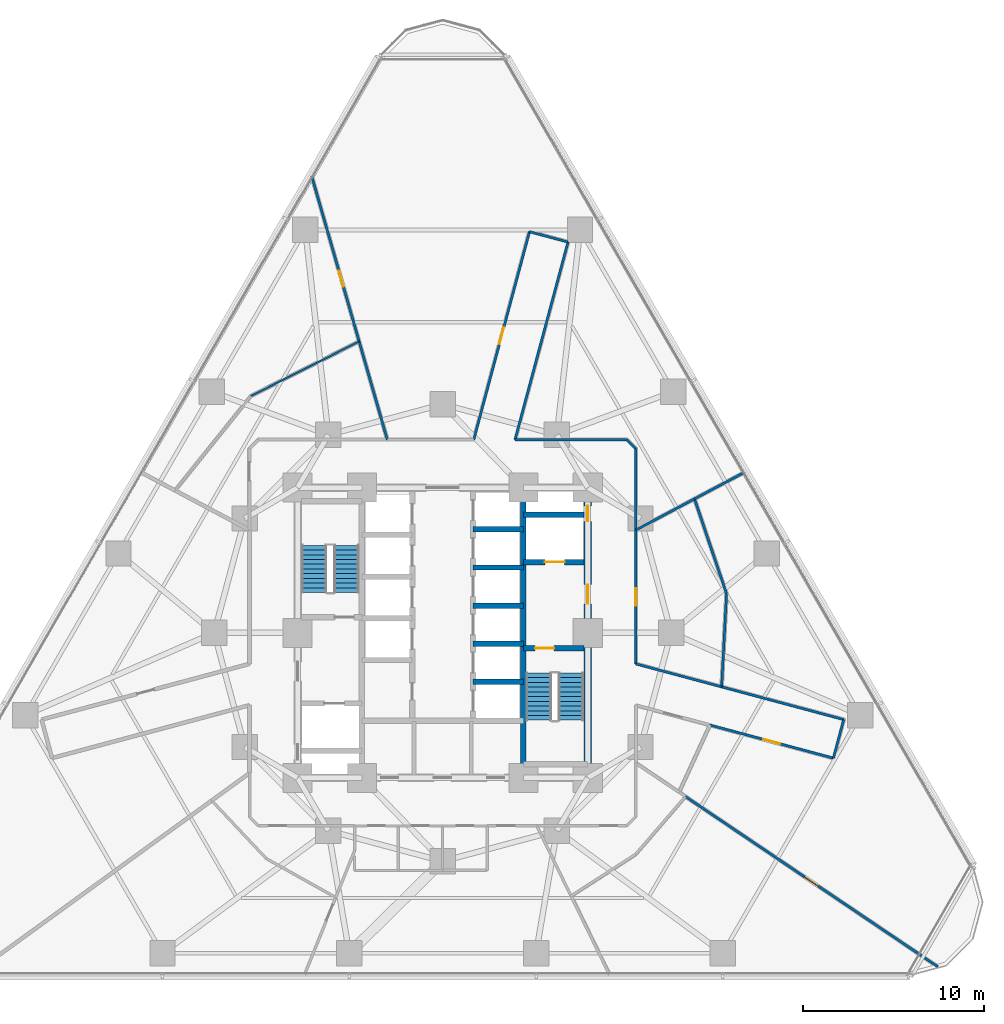
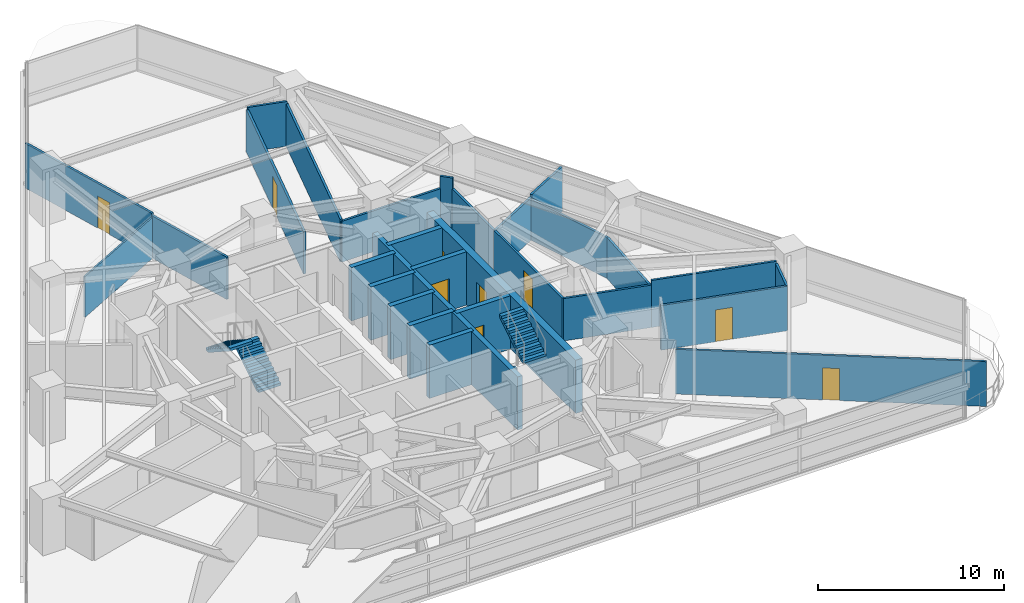
# One storey, part 10 of 16: 29 walls, 9 doors, 4 stair flights, 9 openings, 2 elements without a shape of their own.
"""IFC4 building model written with IfcOpenShell, lengths in metres."""

from ifc_helpers import new_model, si_unit, direction, frame, frame_2d, origin, place, context, subcontext, project, spatial, polyline, rectangle, outline, extrude, material, layer, layer_set, type_object, element, fill, aggregate, save


model = new_model("IFC4")

# Units and contexts
model_context = context("Model", 3, precision=1e-05, world=origin(), true_north=direction((0.0, 1.0)))
body_context = subcontext(model_context, "Body", "Model", "MODEL_VIEW")
ifc_project = project(units=[si_unit("LENGTHUNIT", "METRE"), si_unit("AREAUNIT", "SQUARE_METRE"), si_unit("VOLUMEUNIT", "CUBIC_METRE"), si_unit("PLANEANGLEUNIT", "RADIAN"), si_unit("MASSUNIT", "GRAM", prefix="KILO")], contexts=[model_context])

# Site, building, storey
site_placement = place(None, origin())
site = spatial("IfcSite", under=ifc_project, at=site_placement, CompositionType="ELEMENT")
building_placement = place(site_placement, origin())
building = spatial("IfcBuilding", under=site, at=building_placement, Name="Terralouvre Media Tower", CompositionType="ELEMENT")
storey_placement = place(building_placement, frame((0.0, 0.0, 40.800048828125)))
storey = spatial("IfcBuildingStorey", under=building, at=storey_placement, Name="L09", CompositionType="ELEMENT", Elevation=40.800048828125)

# Wall
ifc_material_1 = material(Name="Concrete C50/60", Category="concrete")
ifc_layer_1 = layer(ifc_material_1, 0.300048828125, Name="Core Internal Shaft Wall CW-300")
ifc_layer_set_1 = layer_set([ifc_layer_1], Name="Concrete C50/60")
wall_type_1 = type_object("IfcWallType", Name="Core Internal Shaft Wall CW-300", PredefinedType="SHEAR", material=ifc_layer_set_1)
wall_1_placement = place(storey_placement, frame((4.449951171875, -7.7900390625, 0.0), z_axis=(0.0, 0.0, 1.0), x_axis=(0.0, 1.0, 0.0)))
element("IfcWall", 1, at=wall_1_placement, inside=storey, type_object=wall_type_1, Name="L09 Core Shaft Wall SPE", PredefinedType="SHEAR", context=body_context, shape_type="SweptSolid", body=[
    extrude(rectangle(XDim=15.580078125, YDim=0.300048828125, at=frame_2d((7.7900390625, 0.0))), origin(), (0.0, 0.0, 1.0), 3.5),
])

# Wall, opening, door
wall_2_placement = place(storey_placement, frame((4.449951171875, -0.85009765625, 0.0), z_axis=(0.0, 0.0, 1.0), x_axis=(1.0, 0.0, 0.0)))
wall_2 = element("IfcWall", 2, at=wall_2_placement, inside=storey, type_object=wall_type_1, Name="L09 Core Shaft Wall ST2D", PredefinedType="SHEAR", context=body_context, shape_type="SweptSolid", body=[
    extrude(rectangle(XDim=3.340087890625, YDim=0.300048828125, at=frame_2d((1.669921875, 0.0))), origin(), (0.0, 0.0, 1.0), 3.5),
])
opening_1_placement = place(wall_2_placement, frame((0.64990234375, 0.0, 0.0)))
opening_1 = element("IfcOpeningElement", 3, at=opening_1_placement, cuts=wall_2, Name="Opening FD-01-105X215", PredefinedType="OPENING", context=body_context, shape_type="SweptSolid", body=[
    extrude(rectangle(XDim=1.050048828125, YDim=2.14990234375, at=frame_2d((0.52490234375, 1.074951171875))), frame((0.0, 0.159912109375, 0.0), z_axis=(0.0, -1.0, 0.0), x_axis=(1.0, 0.0, 0.0)), (0.0, 0.0, 1.0), 0.320068359375),
])
ifc_material_2 = material(Name="Galvanised steel fire-resisting leaf", Category="steel")
door_type_1 = type_object("IfcDoorType", Name="Stair and Firefighting Lobby Fire Door FD-01 (1050x2150)", OperationType="NOTDEFINED", PredefinedType="DOOR", material=ifc_material_2)
door_1_placement = place(opening_1_placement, origin())
door_1 = element("IfcDoor", 4, at=door_1_placement, inside=storey, type_object=door_type_1, Name="L09 ST-02 Exit Stair Door", OperationType="SINGLE_SWING_RIGHT", OverallHeight=2.14990234375, OverallWidth=1.050048828125, PredefinedType="DOOR", context=body_context, shape_type="SweptSolid", body=[
    extrude(rectangle(XDim=1.050048828125, YDim=2.14990234375, at=frame_2d((0.52490234375, 1.074951171875))), frame((0.0, 0.02490234375, 0.0), z_axis=(0.0, -1.0, 0.0), x_axis=(1.0, 0.0, 0.0)), (0.0, 0.0, 1.0), 0.050048828125),
])
fill(opening_1, door_1)

wall_3_placement = place(storey_placement, frame((4.449951171875, 3.89990234375, 0.0), z_axis=(0.0, 0.0, 1.0), x_axis=(1.0, 0.0, 0.0)))
wall_3 = element("IfcWall", 5, at=wall_3_placement, inside=storey, type_object=wall_type_1, Name="L09 Core Shaft Wall FF2S", PredefinedType="SHEAR", context=body_context, shape_type="SweptSolid", body=[
    extrude(rectangle(XDim=3.340087890625, YDim=0.300048828125, at=frame_2d((1.669921875, 0.0))), origin(), (0.0, 0.0, 1.0), 3.5),
])
opening_2_placement = place(wall_3_placement, frame((1.179931640625, 0.0, 0.0)))
opening_2 = element("IfcOpeningElement", 6, at=opening_2_placement, cuts=wall_3, Name="Opening LD-FF", PredefinedType="OPENING", context=body_context, shape_type="SweptSolid", body=[
    extrude(rectangle(XDim=1.10009765625, YDim=2.10009765625, at=frame_2d((0.550048828125, 1.050048828125))), frame((0.0, 0.159912109375, 0.0), z_axis=(0.0, -1.0, 0.0), x_axis=(1.0, 0.0, 0.0)), (0.0, 0.0, 1.0), 0.320068359375),
])
ifc_material_3 = material(Name="Stainless steel 316 handrail and balustrade", Category="steel")
door_type_2 = type_object("IfcDoorType", Name="Firefighting Lift Sliding Landing Door LD-FF", OperationType="SLIDING_TO_LEFT", PredefinedType="DOOR", material=ifc_material_3)
door_2_placement = place(opening_2_placement, origin())
door_2 = element("IfcDoor", 7, at=door_2_placement, inside=storey, type_object=door_type_2, Name="L09 Firefighting Lift FFL-02 Landing Door", OperationType="SLIDING_TO_LEFT", OverallHeight=2.10009765625, OverallWidth=1.10009765625, PredefinedType="DOOR", context=body_context, shape_type="SweptSolid", body=[
    extrude(rectangle(XDim=1.10009765625, YDim=2.10009765625, at=frame_2d((0.550048828125, 1.050048828125))), frame((0.0, 0.02490234375, 0.0), z_axis=(0.0, -1.0, 0.0), x_axis=(1.0, 0.0, 0.0)), (0.0, 0.0, 1.0), 0.050048828125),
])
fill(opening_2, door_2)

# Walls
wall_4_placement = place(storey_placement, frame((4.449951171875, 6.5, 0.0), z_axis=(0.0, 0.0, 1.0), x_axis=(1.0, 0.0, 0.0)))
element("IfcWall", 8, at=wall_4_placement, inside=storey, type_object=wall_type_1, Name="L09 Core Shaft Wall FF2N", PredefinedType="SHEAR", context=body_context, shape_type="SweptSolid", body=[
    extrude(rectangle(XDim=3.340087890625, YDim=0.300048828125, at=frame_2d((1.669921875, 0.0))), origin(), (0.0, 0.0, 1.0), 3.5),
])
for number, where, z_axis, x_axis, name in (
    (9, (1.679931640625, 1.5, 0.0), (0.0, 0.0, 1.0), (1.0, 0.0, 0.0), "L09 Core Shaft Wall PLMD0"),
    (10, (1.679931640625, 3.60009765625, 0.0), (0.0, 0.0, 1.0), (1.0, 0.0, 0.0), "L09 Core Shaft Wall PLMD1"),
    (11, (1.679931640625, 5.699951171875, 0.0), (0.0, 0.0, 1.0), (1.0, 0.0, 0.0), "L09 Core Shaft Wall PLMD2"),
    (12, (1.679931640625, -2.699951171875, 0.0), (0.0, 0.0, 1.0), (1.0, 0.0, 0.0), "L09 Core Shaft Wall PLHD1"),
    (13, (1.679931640625, -0.60009765625, 0.0), (0.0, 0.0, 1.0), (1.0, 0.0, 0.0), "L09 Core Shaft Wall PLHD2"),
):
    element("IfcWall", number, at=place(storey_placement, frame(where, z_axis=z_axis, x_axis=x_axis)), inside=storey, type_object=wall_type_1, Name=name, PredefinedType="SHEAR", context=body_context, shape_type="SweptSolid", body=[
        extrude(rectangle(XDim=2.77001953125, YDim=0.300048828125, at=frame_2d((1.385009765625, 0.0))), origin(), (0.0, 0.0, 1.0), 3.5),
    ])

# Wall, openings, doors
ifc_material_4 = material(Name="Concrete C60/75", Category="concrete")
ifc_layer_2 = layer(ifc_material_4, 0.419921875, Name="Core Reinforced Concrete Shear Wall CW-420")
ifc_layer_set_2 = layer_set([ifc_layer_2], Name="Concrete C60/75")
wall_type_2 = type_object("IfcWallType", Name="Core Reinforced Concrete Shear Wall CW-420", PredefinedType="SHEAR", material=ifc_layer_set_2)
wall_5_placement = place(storey_placement, frame((8.0, -8.0, 0.0), z_axis=(0.0, 0.0, 1.0), x_axis=(0.0, 1.0, 0.0)))
wall_5 = element("IfcWall", 14, at=wall_5_placement, inside=storey, type_object=wall_type_2, Name="L09 E Core Shear Wall", PredefinedType="SHEAR", context=body_context, shape_type="SweptSolid", body=[
    extrude(rectangle(XDim=16.0, YDim=0.419921875, at=frame_2d((8.0, 0.0))), origin(), (0.0, 0.0, 1.0), 3.5),
])
opening_3_placement = place(wall_5_placement, frame((9.60009765625, 0.0, 0.0)))
opening_3 = element("IfcOpeningElement", 15, at=opening_3_placement, cuts=wall_5, Name="Opening FD-01-105X215", PredefinedType="OPENING", context=body_context, shape_type="SweptSolid", body=[
    extrude(rectangle(XDim=1.050048828125, YDim=2.14990234375, at=frame_2d((0.52490234375, 1.074951171875))), frame((0.0, 0.219970703125, 0.0), z_axis=(0.0, -1.0, 0.0), x_axis=(1.0, 0.0, 0.0)), (0.0, 0.0, 1.0), 0.43994140625),
])
opening_4_placement = place(wall_5_placement, frame((14.148193359375, 0.0, 0.0)))
opening_4 = element("IfcOpeningElement", 16, at=opening_4_placement, cuts=wall_5, Name="Opening TD-R1", PredefinedType="OPENING", context=body_context, shape_type="SweptSolid", body=[
    extrude(rectangle(XDim=0.85009765625, YDim=2.02001953125, at=frame_2d((0.425048828125, 1.010009765625))), frame((0.0, 0.219970703125, 0.0), z_axis=(0.0, -1.0, 0.0), x_axis=(1.0, 0.0, 0.0)), (0.0, 0.0, 1.0), 0.43994140625),
])
ifc_material_5 = material(Name="Galvanised steel fire-resisting leaf", Category="steel")
door_type_3 = type_object("IfcDoorType", Name="Riser Inspection Access Trapdoor TD-R1", OperationType="NOTDEFINED", PredefinedType="TRAPDOOR", material=ifc_material_5)
door_3_placement = place(opening_4_placement, origin())
door_3 = element("IfcDoor", 17, at=door_3_placement, inside=storey, type_object=door_type_3, Name="L09 East Comms Riser Access Trapdoor", OperationType="SINGLE_SWING_RIGHT", OverallHeight=2.02001953125, OverallWidth=0.85009765625, PredefinedType="TRAPDOOR", context=body_context, shape_type="SweptSolid", body=[
    extrude(rectangle(XDim=0.85009765625, YDim=2.02001953125, at=frame_2d((0.425048828125, 1.010009765625))), frame((0.0, 0.02490234375, 0.0), z_axis=(0.0, -1.0, 0.0), x_axis=(1.0, 0.0, 0.0)), (0.0, 0.0, 1.0), 0.050048828125),
])
fill(opening_4, door_3)
door_4_placement = place(opening_3_placement, origin())
door_4 = element("IfcDoor", 18, at=door_4_placement, inside=storey, type_object=door_type_1, Name="L09 East Firefighting Lobby Entry Door", OperationType="SINGLE_SWING_LEFT", OverallHeight=2.14990234375, OverallWidth=1.050048828125, PredefinedType="DOOR", context=body_context, shape_type="SweptSolid", body=[
    extrude(rectangle(XDim=1.050048828125, YDim=2.14990234375, at=frame_2d((0.52490234375, 1.074951171875))), frame((0.0, 0.02490234375, 0.0), z_axis=(0.0, -1.0, 0.0), x_axis=(1.0, 0.0, 0.0)), (0.0, 0.0, 1.0), 0.050048828125),
])
fill(opening_3, door_4)

# Walls
ifc_material_6 = material(Name="Low-iron laminated double glazing with solar-control coating", Category="glass")
ifc_layer_3 = layer(ifc_material_6, 0.10009765625, Name="Demountable Glazed Office Partition PT-GL100")
ifc_layer_set_3 = layer_set([ifc_layer_3], Name="Low-iron laminated double glazing with solar-control coating")
wall_type_3 = type_object("IfcWallType", Name="Demountable Glazed Office Partition PT-GL100", PredefinedType="MOVABLE", material=ifc_layer_set_3)
wall_6_placement = place(storey_placement, frame((-10.572998046875, 13.055908203125, 0.0), z_axis=(0.0, 0.0, 1.0), x_axis=(0.893012396789, 0.450032064615, 0.0)))
element("IfcWall", 19, at=wall_6_placement, inside=storey, type_object=wall_type_3, Name="L09 Interior Partition 064", PredefinedType="MOVABLE", context=body_context, shape_type="SweptSolid", body=[
    extrude(rectangle(XDim=6.681884765625, YDim=0.10009765625, at=frame_2d((3.3408203125, 0.0))), origin(), (0.0, 0.0, 1.0), 2.68505859375),
])
ifc_material_7 = material(Name="Fire-rated gypsum board drywall partition")
ifc_layer_4 = layer(ifc_material_7, 0.135009765625, Name="Newsroom Acoustic Partition PT-135")
ifc_layer_set_4 = layer_set([ifc_layer_4], Name="Fire-rated gypsum board drywall partition")
wall_type_4 = type_object("IfcWallType", Name="Newsroom Acoustic Partition PT-135", PredefinedType="PARTITIONING", material=ifc_layer_set_4)
wall_7_placement = place(storey_placement, frame((10.64990234375, 5.6630859375, 0.0), z_axis=(0.0, 0.0, 1.0), x_axis=(0.0, 1.0, 0.0)))
element("IfcWall", 20, at=wall_7_placement, inside=storey, type_object=wall_type_4, Name="L09 Interior Partition 001", PredefinedType="PARTITIONING", context=body_context, shape_type="SweptSolid", body=[
    extrude(rectangle(XDim=4.48681640625, YDim=0.135009765625, at=frame_2d((2.243408203125, 0.0))), origin(), (0.0, 0.0, 1.0), 2.784912109375),
])
wall_8_placement = place(storey_placement, frame((10.64990234375, 10.14990234375, 0.0), z_axis=(0.0, 0.0, 1.0), x_axis=(-0.707106781187, 0.707106781187, 0.0)))
element("IfcWall", 21, at=wall_8_placement, inside=storey, type_object=wall_type_4, Name="L09 Interior Partition 002", PredefinedType="PARTITIONING", context=body_context, shape_type="SweptSolid", body=[
    extrude(rectangle(XDim=0.70703125, YDim=0.135009765625, at=frame_2d((0.353515625, 0.0))), origin(), (0.0, 0.0, 1.0), 3.5),
])
wall_9_placement = place(storey_placement, frame((10.14990234375, 10.64990234375, 0.0), z_axis=(0.0, 0.0, 1.0), x_axis=(-1.0, 0.0, 0.0)))
element("IfcWall", 22, at=wall_9_placement, inside=storey, type_object=wall_type_4, Name="L09 Interior Partition 003", PredefinedType="PARTITIONING", context=body_context, shape_type="SweptSolid", body=[
    extrude(rectangle(XDim=6.157958984375, YDim=0.135009765625, at=frame_2d((3.0791015625, 0.0))), origin(), (0.0, 0.0, 1.0), 2.68505859375),
])
wall_10_placement = place(storey_placement, frame((3.991943359375, 10.64990234375, 0.0), z_axis=(0.0, 0.0, 1.0), x_axis=(0.258889712088, 0.965906888357, 0.0)))
element("IfcWall", 23, at=wall_10_placement, inside=storey, type_object=wall_type_4, Name="L09 Interior Partition 004", PredefinedType="PARTITIONING", context=body_context, shape_type="SweptSolid", body=[
    extrude(rectangle(XDim=11.279541015625, YDim=0.135009765625, at=frame_2d((5.6396484375, 0.0))), origin(), (0.0, 0.0, 1.0), 2.784912109375),
])
wall_11_placement = place(storey_placement, frame((6.912109375, 21.544921875, 0.0), z_axis=(0.0, 0.0, 1.0), x_axis=(-0.965848933329, 0.259105843213, 0.0)))
element("IfcWall", 24, at=wall_11_placement, inside=storey, type_object=wall_type_4, Name="L09 Interior Partition 005", PredefinedType="PARTITIONING", context=body_context, shape_type="SweptSolid", body=[
    extrude(rectangle(XDim=2.2001953125, YDim=0.135009765625, at=frame_2d((1.10009765625, 0.0))), origin(), (0.0, 0.0, 1.0), 2.93505859375),
])

# Wall, opening, door
wall_12_placement = place(storey_placement, frame((4.787109375, 22.114990234375, 0.0), z_axis=(0.0, 0.0, 1.0), x_axis=(-0.258815935688, -0.965926659449, 0.0)))
wall_12 = element("IfcWall", 25, at=wall_12_placement, inside=storey, type_object=wall_type_4, Name="L09 Interior Partition 006", PredefinedType="PARTITIONING", context=body_context, shape_type="SweptSolid", body=[
    extrude(rectangle(XDim=11.86962890625, YDim=0.135009765625, at=frame_2d((5.934814453125, 0.0))), origin(), (0.0, 0.0, 1.0), 2.784912109375),
])
opening_5_placement = place(wall_12_placement, frame((5.459716796875, 0.0, 0.0)))
opening_5 = element("IfcOpeningElement", 26, at=opening_5_placement, cuts=wall_12, Name="Opening ID-02-95X210", PredefinedType="OPENING", context=body_context, shape_type="SweptSolid", body=[
    extrude(rectangle(XDim=0.949951171875, YDim=2.10009765625, at=frame_2d((0.47509765625, 1.050048828125))), frame((0.0, 0.077392578125, 0.0), z_axis=(0.0, -1.0, 0.0), x_axis=(1.0, 0.0, 0.0)), (0.0, 0.0, 1.0), 0.155029296875),
])
ifc_material_8 = material(Name="Engineered hardwood acoustic timber leaf", Category="wood")
door_type_4 = type_object("IfcDoorType", Name="Office and Meeting Room Door ID-02 (950x2100)", OperationType="NOTDEFINED", PredefinedType="DOOR", material=ifc_material_8)
door_5_placement = place(opening_5_placement, origin())
door_5 = element("IfcDoor", 27, at=door_5_placement, inside=storey, type_object=door_type_4, Name="L09 Broadcast Floor Crew Room 1 Door", OperationType="SINGLE_SWING_RIGHT", OverallHeight=2.10009765625, OverallWidth=0.949951171875, PredefinedType="DOOR", context=body_context, shape_type="SweptSolid", body=[
    extrude(rectangle(XDim=0.949951171875, YDim=2.10009765625, at=frame_2d((0.47509765625, 1.050048828125))), frame((0.0, 0.02490234375, 0.0), z_axis=(0.0, -1.0, 0.0), x_axis=(1.0, 0.0, 0.0)), (0.0, 0.0, 1.0), 0.050048828125),
])
fill(opening_5, door_5)

wall_13_placement = place(storey_placement, frame((14.739990234375, -5.087890625, 0.0), z_axis=(0.0, 0.0, 1.0), x_axis=(0.965895912523, -0.258930659002, 0.0)))
wall_13 = element("IfcWall", 28, at=wall_13_placement, inside=storey, type_object=wall_type_4, Name="L09 Interior Partition 015", PredefinedType="PARTITIONING", context=body_context, shape_type="SweptSolid", body=[
    extrude(rectangle(XDim=7.045166015625, YDim=0.135009765625, at=frame_2d((3.5224609375, 0.0))), origin(), (0.0, 0.0, 1.0), 2.93505859375),
])
opening_6_placement = place(wall_13_placement, frame((3.047607421875, 0.0, 0.0)))
opening_6 = element("IfcOpeningElement", 29, at=opening_6_placement, cuts=wall_13, Name="Opening ID-02-95X210", PredefinedType="OPENING", context=body_context, shape_type="SweptSolid", body=[
    extrude(rectangle(XDim=0.949951171875, YDim=2.10009765625, at=frame_2d((0.47509765625, 1.050048828125))), frame((0.0, 0.077392578125, 0.0), z_axis=(0.0, -1.0, 0.0), x_axis=(1.0, 0.0, 0.0)), (0.0, 0.0, 1.0), 0.155029296875),
])
door_6_placement = place(opening_6_placement, origin())
door_6 = element("IfcDoor", 30, at=door_6_placement, inside=storey, type_object=door_type_4, Name="L09 Creative Set Workshop 4 Door", OperationType="SINGLE_SWING_LEFT", OverallHeight=2.10009765625, OverallWidth=0.949951171875, PredefinedType="DOOR", context=body_context, shape_type="SweptSolid", body=[
    extrude(rectangle(XDim=0.949951171875, YDim=2.10009765625, at=frame_2d((0.47509765625, 1.050048828125))), frame((0.0, 0.02490234375, 0.0), z_axis=(0.0, -1.0, 0.0), x_axis=(1.0, 0.0, 0.0)), (0.0, 0.0, 1.0), 0.050048828125),
])
fill(opening_6, door_6)

# Walls
wall_14_placement = place(storey_placement, frame((21.544921875, -6.912109375, 0.0), z_axis=(0.0, 0.0, 1.0), x_axis=(0.259105843213, 0.965848933329, 0.0)))
element("IfcWall", 31, at=wall_14_placement, inside=storey, type_object=wall_type_4, Name="L09 Interior Partition 016", PredefinedType="PARTITIONING", context=body_context, shape_type="SweptSolid", body=[
    extrude(rectangle(XDim=2.2001953125, YDim=0.135009765625, at=frame_2d((1.10009765625, 0.0))), origin(), (0.0, 0.0, 1.0), 2.93505859375),
])
wall_15_placement = place(storey_placement, frame((22.114990234375, -4.787109375, 0.0), z_axis=(0.0, 0.0, 1.0), x_axis=(-0.965912084765, 0.258870323726, 0.0)))
element("IfcWall", 32, at=wall_15_placement, inside=storey, type_object=wall_type_4, Name="L09 Interior Partition 017", PredefinedType="PARTITIONING", context=body_context, shape_type="SweptSolid", body=[
    extrude(rectangle(XDim=6.969482421875, YDim=0.135009765625, at=frame_2d((3.48486328125, 0.0))), origin(), (0.0, 0.0, 1.0), 3.0849609375),
])
wall_16_placement = place(storey_placement, frame((15.383056640625, -2.98291015625, 0.0), z_axis=(0.0, 0.0, 1.0), x_axis=(-0.965947384406, 0.258738575706, 0.0)))
element("IfcWall", 33, at=wall_16_placement, inside=storey, type_object=wall_type_4, Name="L09 Interior Partition 018", PredefinedType="PARTITIONING", context=body_context, shape_type="SweptSolid", body=[
    extrude(rectangle(XDim=4.89990234375, YDim=0.135009765625, at=frame_2d((2.449951171875, 0.0))), origin(), (0.0, 0.0, 1.0), 2.784912109375),
])

# Wall, opening, door
wall_17_placement = place(storey_placement, frame((10.64990234375, -1.715087890625, 0.0), z_axis=(0.0, 0.0, 1.0), x_axis=(0.0, 1.0, 0.0)))
wall_17 = element("IfcWall", 34, at=wall_17_placement, inside=storey, type_object=wall_type_4, Name="L09 Interior Partition 019", PredefinedType="PARTITIONING", context=body_context, shape_type="SweptSolid", body=[
    extrude(rectangle(XDim=7.378173828125, YDim=0.135009765625, at=frame_2d((3.68896484375, 0.0))), origin(), (0.0, 0.0, 1.0), 2.784912109375),
])
opening_7_placement = place(wall_17_placement, frame((3.214111328125, 0.0, 0.0)))
opening_7 = element("IfcOpeningElement", 35, at=opening_7_placement, cuts=wall_17, Name="Opening ID-02-95X210", PredefinedType="OPENING", context=body_context, shape_type="SweptSolid", body=[
    extrude(rectangle(XDim=0.949951171875, YDim=2.10009765625, at=frame_2d((0.47509765625, 1.050048828125))), frame((0.0, 0.077392578125, 0.0), z_axis=(0.0, -1.0, 0.0), x_axis=(1.0, 0.0, 0.0)), (0.0, 0.0, 1.0), 0.155029296875),
])
door_7_placement = place(opening_7_placement, origin())
door_7 = element("IfcDoor", 36, at=door_7_placement, inside=storey, type_object=door_type_4, Name="L09 Editorial Collaborative Open Office 5 Door", OperationType="SINGLE_SWING_RIGHT", OverallHeight=2.10009765625, OverallWidth=0.949951171875, PredefinedType="DOOR", context=body_context, shape_type="SweptSolid", body=[
    extrude(rectangle(XDim=0.949951171875, YDim=2.10009765625, at=frame_2d((0.47509765625, 1.050048828125))), frame((0.0, 0.02490234375, 0.0), z_axis=(0.0, -1.0, 0.0), x_axis=(1.0, 0.0, 0.0)), (0.0, 0.0, 1.0), 0.050048828125),
])
fill(opening_7, door_7)

# Walls
wall_18_placement = place(storey_placement, frame((13.885986328125, 7.383056640625, 0.0), z_axis=(0.0, 0.0, 1.0), x_axis=(0.88293033741, 0.469504014126, 0.0)))
element("IfcWall", 37, at=wall_18_placement, inside=storey, type_object=wall_type_4, Name="L09 Interior Partition 033", PredefinedType="PARTITIONING", context=body_context, shape_type="SweptSolid", body=[
    extrude(rectangle(XDim=3.12158203125, YDim=0.135009765625, at=frame_2d((1.560791015625, 0.0))), origin(), (0.0, 0.0, 1.0), 2.93505859375),
])
wall_19_placement = place(storey_placement, frame((10.64990234375, 5.6630859375, 0.0), z_axis=(0.0, 0.0, 1.0), x_axis=(0.88302513666, 0.469325695041, 0.0)))
element("IfcWall", 38, at=wall_19_placement, inside=storey, type_object=wall_type_4, Name="L09 Interior Partition 034", PredefinedType="PARTITIONING", context=body_context, shape_type="SweptSolid", body=[
    extrude(rectangle(XDim=3.664794921875, YDim=0.135009765625, at=frame_2d((1.83251953125, 0.0))), origin(), (0.0, 0.0, 1.0), 2.784912109375),
])

# Wall, opening, door
wall_20_placement = place(storey_placement, frame((-7.21826171875, 25.171142578125, 0.0), z_axis=(0.0, 0.0, 1.0), x_axis=(0.275694254482, -0.961245378686, 0.0)))
wall_20 = element("IfcWall", 39, at=wall_20_placement, inside=storey, type_object=wall_type_4, Name="L09 Interior Partition 035", PredefinedType="PARTITIONING", context=body_context, shape_type="SweptSolid", body=[
    extrude(rectangle(XDim=9.475341796875, YDim=0.135009765625, at=frame_2d((4.73779296875, 0.0))), origin(), (0.0, 0.0, 1.0), 2.93505859375),
])
opening_8_placement = place(wall_20_placement, frame((5.414794921875, 0.0, 0.0)))
opening_8 = element("IfcOpeningElement", 40, at=opening_8_placement, cuts=wall_20, Name="Opening ID-03-92X210", PredefinedType="OPENING", context=body_context, shape_type="SweptSolid", body=[
    extrude(rectangle(XDim=0.919921875, YDim=2.10009765625, at=frame_2d((0.4599609375, 1.050048828125))), frame((0.0, 0.077392578125, 0.0), z_axis=(0.0, -1.0, 0.0), x_axis=(1.0, 0.0, 0.0)), (0.0, 0.0, 1.0), 0.155029296875),
])
ifc_material_9 = material(Name="Engineered hardwood acoustic timber leaf", Category="wood")
door_type_5 = type_object("IfcDoorType", Name="Accessible Restroom and Suite Door ID-03 (920x2100)", OperationType="NOTDEFINED", PredefinedType="DOOR", material=ifc_material_9)
door_8_placement = place(opening_8_placement, origin())
door_8 = element("IfcDoor", 41, at=door_8_placement, inside=storey, type_object=door_type_5, Name="L09 Script Readout Seminar Room 11 Door", OperationType="SINGLE_SWING_RIGHT", OverallHeight=2.10009765625, OverallWidth=0.919921875, PredefinedType="DOOR", context=body_context, shape_type="SweptSolid", body=[
    extrude(rectangle(XDim=0.919921875, YDim=2.10009765625, at=frame_2d((0.4599609375, 1.050048828125))), frame((0.0, 0.02490234375, 0.0), z_axis=(0.0, -1.0, 0.0), x_axis=(1.0, 0.0, 0.0)), (0.0, 0.0, 1.0), 0.050048828125),
])
fill(opening_8, door_8)

# Walls
wall_21_placement = place(storey_placement, frame((-4.60595703125, 16.06298828125, 0.0), z_axis=(0.0, 0.0, 1.0), x_axis=(0.275608564, -0.961269951392, 0.0)))
element("IfcWall", 42, at=wall_21_placement, inside=storey, type_object=wall_type_4, Name="L09 Interior Partition 036", PredefinedType="PARTITIONING", context=body_context, shape_type="SweptSolid", body=[
    extrude(rectangle(XDim=5.631103515625, YDim=0.135009765625, at=frame_2d((2.8154296875, 0.0))), origin(), (0.0, 0.0, 1.0), 2.784912109375),
])
wall_22_placement = place(storey_placement, frame((13.885986328125, 7.383056640625, 0.0), z_axis=(0.0, 0.0, 1.0), x_axis=(0.320099223205, -0.947384023141, 0.0)))
element("IfcWall", 43, at=wall_22_placement, inside=storey, type_object=wall_type_4, Name="L09 Interior Partition 043", PredefinedType="PARTITIONING", context=body_context, shape_type="SweptSolid", body=[
    extrude(rectangle(XDim=5.5205078125, YDim=0.135009765625, at=frame_2d((2.76025390625, 0.0))), origin(), (0.0, 0.0, 1.0), 2.68505859375),
])
wall_23_placement = place(storey_placement, frame((15.653076171875, 2.153076171875, 0.0), z_axis=(0.0, 0.0, 1.0), x_axis=(-0.05250152841, -0.998620843721, 0.0)))
element("IfcWall", 44, at=wall_23_placement, inside=storey, type_object=wall_type_4, Name="L09 Interior Partition 044", PredefinedType="PARTITIONING", context=body_context, shape_type="SweptSolid", body=[
    extrude(rectangle(XDim=5.14306640625, YDim=0.135009765625, at=frame_2d((2.571533203125, 0.0))), origin(), (0.0, 0.0, 1.0), 2.68505859375),
])

# Wall, opening, door
wall_24_placement = place(storey_placement, frame((13.384033203125, -9.028076171875, 0.0), z_axis=(0.0, 0.0, 1.0), x_axis=(0.829042972493, -0.55918489765, 0.0)))
wall_24 = element("IfcWall", 45, at=wall_24_placement, inside=storey, type_object=wall_type_4, Name="L09 Interior Partition 046", PredefinedType="PARTITIONING", context=body_context, shape_type="SweptSolid", body=[
    extrude(rectangle(XDim=16.791259765625, YDim=0.135009765625, at=frame_2d((8.3955078125, 0.0))), origin(), (0.0, 0.0, 1.0), 2.93505859375),
])
opening_9_placement = place(wall_24_placement, frame((7.935546875, 0.0, 0.0)))
opening_9 = element("IfcOpeningElement", 46, at=opening_9_placement, cuts=wall_24, Name="Opening ID-03-92X210", PredefinedType="OPENING", context=body_context, shape_type="SweptSolid", body=[
    extrude(rectangle(XDim=0.919921875, YDim=2.10009765625, at=frame_2d((0.4599609375, 1.050048828125))), frame((0.0, 0.077392578125, 0.0), z_axis=(0.0, -1.0, 0.0), x_axis=(1.0, 0.0, 0.0)), (0.0, 0.0, 1.0), 0.155029296875),
])
door_9_placement = place(opening_9_placement, origin())
door_9 = element("IfcDoor", 47, at=door_9_placement, inside=storey, type_object=door_type_5, Name="L09 Production Catering Galley 10 Door", OperationType="SINGLE_SWING_LEFT", OverallHeight=2.10009765625, OverallWidth=0.919921875, PredefinedType="DOOR", context=body_context, shape_type="SweptSolid", body=[
    extrude(rectangle(XDim=0.919921875, YDim=2.10009765625, at=frame_2d((0.4599609375, 1.050048828125))), frame((0.0, 0.02490234375, 0.0), z_axis=(0.0, -1.0, 0.0), x_axis=(1.0, 0.0, 0.0)), (0.0, 0.0, 1.0), 0.050048828125),
])
fill(opening_9, door_9)

# Stair, stair flights
ifc_material_10 = material(Name="Concrete C45/55", Category="concrete")
stair_type_1 = type_object("IfcStairType", Name="Dogleg Stair Assembly ST-01", PredefinedType="HALF_TURN_STAIR", material=ifc_material_10)
stair_1_placement = place(storey_placement, origin())
stair_1 = element("IfcStair", 48, at=stair_1_placement, inside=storey, type_object=stair_type_1, Name="L09 Core Pressurised Exit Stair ST-01", PredefinedType="HALF_TURN_STAIR")
ifc_material_11 = material(Name="Concrete C45/55", Category="concrete")
stair_flight_type = type_object("IfcStairFlightType", Name="Reinforced Concrete Stair Flight SF-RC1", PredefinedType="STRAIGHT", material=ifc_material_11)
stair_flight_1_placement = place(storey_placement, frame((-5.300048828125, 2.219970703125, 0.0), z_axis=(0.0, 0.0, 1.0), x_axis=(0.0, 1.0, 0.0)))
stair_flight_1 = element("IfcStairFlight", 49, at=stair_flight_1_placement, type_object=stair_flight_type, Name="ST-01 flight 1", NumberOfRisers=11, NumberOfTreads=10, PredefinedType="STRAIGHT", RiserHeight=0.168181818, TreadLength=0.26, context=body_context, shape_type="SweptSolid", body=[
    extrude(outline(polyline([(0.0, 0.0), (0.0, 0.168212890625), (0.260009765625, 0.168212890625), (0.260009765625, 0.33642578125), (0.52001953125, 0.33642578125), (0.52001953125, 0.504638671875), (0.780029296875, 0.504638671875), (0.780029296875, 0.672607421875), (1.0400390625, 0.672607421875), (1.0400390625, 0.8408203125), (1.300048828125, 0.8408203125), (1.300048828125, 1.009033203125), (1.56005859375, 1.009033203125), (1.56005859375, 1.17724609375), (1.820068359375, 1.17724609375), (1.820068359375, 1.345458984375), (2.080078125, 1.345458984375), (2.080078125, 1.513671875), (2.340087890625, 1.513671875), (2.340087890625, 1.681884765625), (2.60009765625, 1.681884765625), (2.60009765625, 1.85009765625), (2.60009765625, 1.503173828125), (0.27587890625, 0.0), (0.0, 0.0)])), frame((0.0, 0.699951171875, 0.0), z_axis=(0.0, -1.0, 0.0), x_axis=(1.0, 0.0, 0.0)), (0.0, 0.0, 1.0), 1.39990234375),
])
stair_flight_2_placement = place(storey_placement, frame((-7.080078125, 4.820068359375, 1.849853515625), z_axis=(0.0, 0.0, 1.0), x_axis=(0.0, -1.0, 0.0)))
stair_flight_2 = element("IfcStairFlight", 50, at=stair_flight_2_placement, type_object=stair_flight_type, Name="ST-01 flight 2", NumberOfRisers=11, NumberOfTreads=10, PredefinedType="STRAIGHT", RiserHeight=0.168181818, TreadLength=0.26, context=body_context, shape_type="SweptSolid", body=[
    extrude(outline(polyline([(0.0, 0.0), (0.0, 0.168212890625), (0.260009765625, 0.168212890625), (0.260009765625, 0.33642578125), (0.52001953125, 0.33642578125), (0.52001953125, 0.504638671875), (0.780029296875, 0.504638671875), (0.780029296875, 0.672607421875), (1.0400390625, 0.672607421875), (1.0400390625, 0.8408203125), (1.300048828125, 0.8408203125), (1.300048828125, 1.009033203125), (1.56005859375, 1.009033203125), (1.56005859375, 1.17724609375), (1.820068359375, 1.17724609375), (1.820068359375, 1.345458984375), (2.080078125, 1.345458984375), (2.080078125, 1.513671875), (2.340087890625, 1.513671875), (2.340087890625, 1.681884765625), (2.60009765625, 1.681884765625), (2.60009765625, 1.85009765625), (2.60009765625, 1.503173828125), (0.27587890625, 0.0), (0.0, 0.0)])), frame((0.0, 0.699951171875, 0.0), z_axis=(0.0, -1.0, 0.0), x_axis=(1.0, 0.0, 0.0)), (0.0, 0.0, 1.0), 1.39990234375),
])
aggregate(stair_1, [stair_flight_1, stair_flight_2])

ifc_material_12 = material(Name="Concrete C45/55", Category="concrete")
stair_type_2 = type_object("IfcStairType", Name="Dogleg Stair Assembly ST-02", PredefinedType="HALF_TURN_STAIR", material=ifc_material_12)
stair_2_placement = place(storey_placement, origin())
stair_2 = element("IfcStair", 51, at=stair_2_placement, inside=storey, type_object=stair_type_2, Name="L09 Core Pressurised Exit Stair ST-02", PredefinedType="HALF_TURN_STAIR")
stair_flight_3_placement = place(storey_placement, frame((5.300048828125, -2.219970703125, 0.0), z_axis=(0.0, 0.0, 1.0), x_axis=(0.0, -1.0, 0.0)))
stair_flight_3 = element("IfcStairFlight", 52, at=stair_flight_3_placement, type_object=stair_flight_type, Name="ST-02 flight 1", NumberOfRisers=11, NumberOfTreads=10, PredefinedType="STRAIGHT", RiserHeight=0.168181818, TreadLength=0.26, context=body_context, shape_type="SweptSolid", body=[
    extrude(outline(polyline([(0.0, 0.0), (0.0, 0.168212890625), (0.260009765625, 0.168212890625), (0.260009765625, 0.33642578125), (0.52001953125, 0.33642578125), (0.52001953125, 0.504638671875), (0.780029296875, 0.504638671875), (0.780029296875, 0.672607421875), (1.0400390625, 0.672607421875), (1.0400390625, 0.8408203125), (1.300048828125, 0.8408203125), (1.300048828125, 1.009033203125), (1.56005859375, 1.009033203125), (1.56005859375, 1.17724609375), (1.820068359375, 1.17724609375), (1.820068359375, 1.345458984375), (2.080078125, 1.345458984375), (2.080078125, 1.513671875), (2.340087890625, 1.513671875), (2.340087890625, 1.681884765625), (2.60009765625, 1.681884765625), (2.60009765625, 1.85009765625), (2.60009765625, 1.503173828125), (0.27587890625, 0.0), (0.0, 0.0)])), frame((0.0, 0.699951171875, 0.0), z_axis=(0.0, -1.0, 0.0), x_axis=(1.0, 0.0, 0.0)), (0.0, 0.0, 1.0), 1.39990234375),
])
stair_flight_4_placement = place(storey_placement, frame((7.080078125, -4.820068359375, 1.849853515625), z_axis=(0.0, 0.0, 1.0), x_axis=(0.0, 1.0, 0.0)))
stair_flight_4 = element("IfcStairFlight", 53, at=stair_flight_4_placement, type_object=stair_flight_type, Name="ST-02 flight 2", NumberOfRisers=11, NumberOfTreads=10, PredefinedType="STRAIGHT", RiserHeight=0.168181818, TreadLength=0.26, context=body_context, shape_type="SweptSolid", body=[
    extrude(outline(polyline([(0.0, 0.0), (0.0, 0.168212890625), (0.260009765625, 0.168212890625), (0.260009765625, 0.33642578125), (0.52001953125, 0.33642578125), (0.52001953125, 0.504638671875), (0.780029296875, 0.504638671875), (0.780029296875, 0.672607421875), (1.0400390625, 0.672607421875), (1.0400390625, 0.8408203125), (1.300048828125, 0.8408203125), (1.300048828125, 1.009033203125), (1.56005859375, 1.009033203125), (1.56005859375, 1.17724609375), (1.820068359375, 1.17724609375), (1.820068359375, 1.345458984375), (2.080078125, 1.345458984375), (2.080078125, 1.513671875), (2.340087890625, 1.513671875), (2.340087890625, 1.681884765625), (2.60009765625, 1.681884765625), (2.60009765625, 1.85009765625), (2.60009765625, 1.503173828125), (0.27587890625, 0.0), (0.0, 0.0)])), frame((0.0, 0.699951171875, 0.0), z_axis=(0.0, -1.0, 0.0), x_axis=(1.0, 0.0, 0.0)), (0.0, 0.0, 1.0), 1.39990234375),
])
aggregate(stair_2, [stair_flight_3, stair_flight_4])

save(model, "model.ifc")
